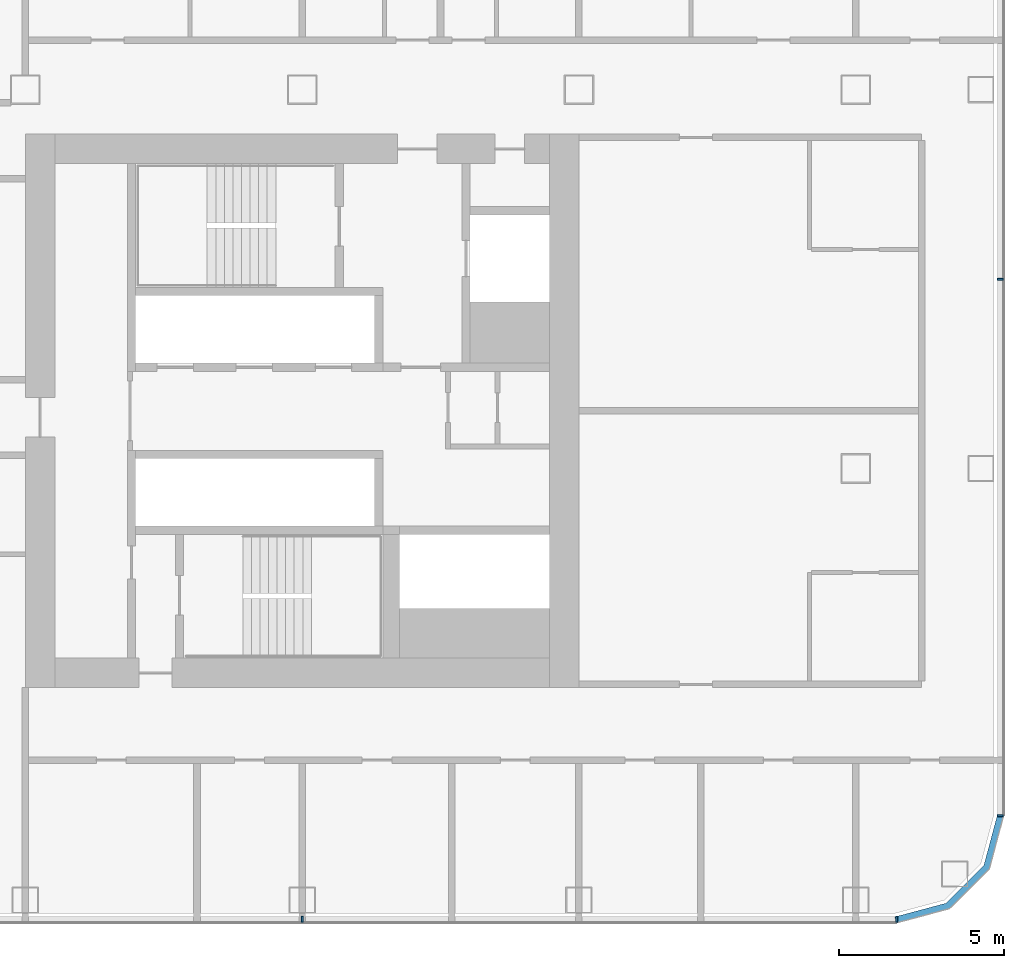
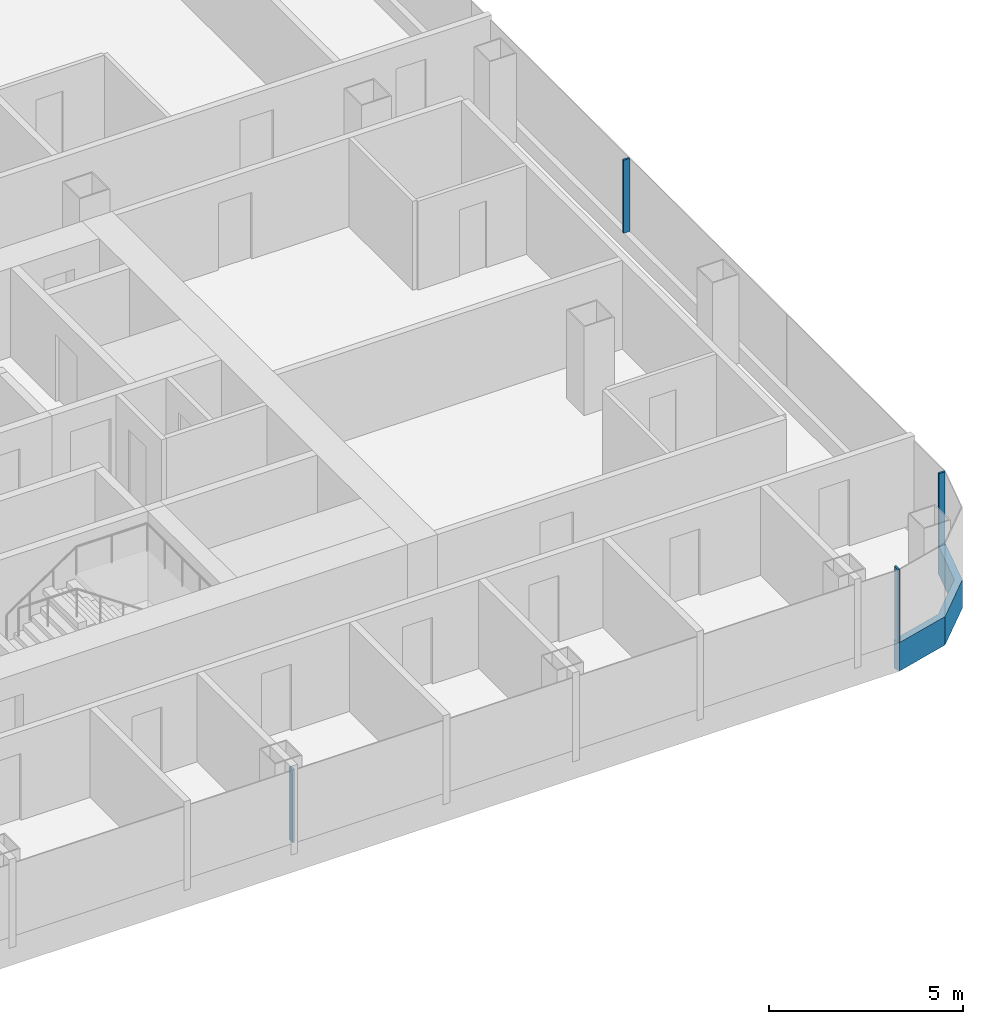
# One storey, part 11 of 29: 5 members, 3 elements without a shape of their own.
"""IFC4 building model written with IfcOpenShell, lengths in metres."""

from ifc_helpers import new_model, si_unit, direction, frame, origin, origin_2d, place, context, subcontext, project, spatial, polyline, rectangle, outline, extrude, material, layer, layer_set, material_profile, profile_set, type_object, element, aggregate, save


model = new_model("IFC4")

# Units and contexts
model_context = context("Model", 3, precision=1e-05, world=origin(), true_north=direction((0.0, 1.0)))
body_context = subcontext(model_context, "Body", "Model", "MODEL_VIEW")
ifc_project = project(units=[si_unit("LENGTHUNIT", "METRE"), si_unit("AREAUNIT", "SQUARE_METRE"), si_unit("VOLUMEUNIT", "CUBIC_METRE"), si_unit("PLANEANGLEUNIT", "RADIAN"), si_unit("MASSUNIT", "GRAM", prefix="KILO")], contexts=[model_context])

# Site, building, storey
site_placement = place(None, origin())
site = spatial("IfcSite", under=ifc_project, at=site_placement, CompositionType="ELEMENT")
building_placement = place(site_placement, origin())
building = spatial("IfcBuilding", under=site, at=building_placement, Name="Hakoniwa Tower and Hamabe Station Hall", CompositionType="ELEMENT")
storey_placement = place(building_placement, frame((0.0, 0.0, 97.800048828125)))
storey = spatial("IfcBuildingStorey", under=building, at=storey_placement, Name="L27", CompositionType="ELEMENT", Elevation=97.800048828125)

# Curtain wall, member
ifc_material_1 = material(Name="Dark low-e laminated glass", Category="glass")
ifc_layer = layer(ifc_material_1, 0.199951171875)
ifc_layer_set = layer_set([ifc_layer], Name="CW-1 UNITISED GUEST")
curtain_wall_type = type_object("IfcCurtainWallType", Name="CW-1 UNITISED GUEST", PredefinedType="NOTDEFINED", material=ifc_layer_set)
curtain_wall_1_placement = place(storey_placement, origin())
curtain_wall_1 = element("IfcCurtainWall", 1, at=curtain_wall_1_placement, inside=storey, type_object=curtain_wall_type, Name="CW-1 curtain wall", PredefinedType="NOTDEFINED")
ifc_material_2 = material(Name="Aluminium 6063-T5 black anodised", Category="aluminium")
ifc_material_profile_1 = material_profile(ifc_material_2, rectangle(XDim=0.199951171875, YDim=0.89990234375, at=origin_2d()), Name="CW SLAB-EDGE BAND 900X200")
ifc_profile_set_1 = profile_set([ifc_material_profile_1], Name="Aluminium 6063-T5 black anodised")
member_type_1 = type_object("IfcMemberType", Name="CW SLAB-EDGE BAND 900X200", PredefinedType="USERDEFINED", material=ifc_profile_set_1)
member_1_placement = place(storey_placement, frame((0.0, 0.0, -0.550048828125)))
member_1 = element("IfcMember", 2, at=member_1_placement, type_object=member_type_1, Name="CW-1 transom", ObjectType="TRANSOM", PredefinedType="USERDEFINED", context=body_context, shape_type="SweptSolid", body=[
    extrude(outline(polyline([(43.239501953125, -15.550048828125), (44.855224609375, -15.116943359375), (46.067138671875, -13.9052734375), (46.5, -12.28955078125), (46.306884765625, -12.23779296875), (45.8876953125, -13.8017578125), (44.751708984375, -14.937744140625), (43.187744140625, -15.35693359375), (43.239501953125, -15.550048828125)])), origin(), (0.0, 0.0, 1.0), 0.89990234375),
])
aggregate(curtain_wall_1, [member_1])

# Curtain wall, members
curtain_wall_2_placement = place(storey_placement, origin())
curtain_wall_2 = element("IfcCurtainWall", 3, at=curtain_wall_2_placement, inside=storey, type_object=curtain_wall_type, Name="CW-1 curtain wall", PredefinedType="NOTDEFINED")
ifc_material_3 = material(Name="Aluminium 6063-T5 black anodised", Category="aluminium")
ifc_material_profile_2 = material_profile(ifc_material_3, rectangle(XDim=0.06005859375, YDim=0.179931640625, at=origin_2d()), Name="CW-1 MULLION 60X180")
ifc_profile_set_2 = profile_set([ifc_material_profile_2], Name="Aluminium 6063-T5 black anodised")
member_type_2 = type_object("IfcMemberType", Name="CW-1 MULLION 60X180", PredefinedType="MULLION", material=ifc_profile_set_2)
member_2_placement = place(storey_placement, frame((46.382080078125, -12.28955078125, 0.349853515625), z_axis=(0.0, 0.0, 1.0), x_axis=(0.0, 1.0, 0.0)))
member_2 = element("IfcMember", 4, at=member_2_placement, type_object=member_type_2, Name="CW-1 mullion", PredefinedType="MULLION", context=body_context, shape_type="SweptSolid", body=[
    extrude(rectangle(XDim=0.06005859375, YDim=0.179931640625, at=origin_2d()), origin(), (0.0, 0.0, 1.0), 2.300048828125),
])
member_3_placement = place(storey_placement, frame((46.382080078125, 4.0, 0.349853515625), z_axis=(0.0, 0.0, 1.0), x_axis=(0.0, 1.0, 0.0)))
member_3 = element("IfcMember", 5, at=member_3_placement, type_object=member_type_2, Name="CW-1 mullion", PredefinedType="MULLION", context=body_context, shape_type="SweptSolid", body=[
    extrude(rectangle(XDim=0.06005859375, YDim=0.179931640625, at=origin_2d()), origin(), (0.0, 0.0, 1.0), 2.300048828125),
])
aggregate(curtain_wall_2, [member_2, member_3])

curtain_wall_3_placement = place(storey_placement, origin())
curtain_wall_3 = element("IfcCurtainWall", 6, at=curtain_wall_3_placement, inside=storey, type_object=curtain_wall_type, Name="CW-1 curtain wall", PredefinedType="NOTDEFINED")
member_4_placement = place(storey_placement, frame((25.199951171875, -15.431884765625, 0.349853515625), z_axis=(0.0, 0.0, 1.0), x_axis=(1.0, 0.0, 0.0)))
member_4 = element("IfcMember", 7, at=member_4_placement, type_object=member_type_2, Name="CW-1 mullion", PredefinedType="MULLION", context=body_context, shape_type="SweptSolid", body=[
    extrude(rectangle(XDim=0.06005859375, YDim=0.179931640625, at=origin_2d()), origin(), (0.0, 0.0, 1.0), 2.300048828125),
])
member_5_placement = place(storey_placement, frame((43.239501953125, -15.431884765625, 0.349853515625), z_axis=(0.0, 0.0, 1.0), x_axis=(1.0, 0.0, 0.0)))
member_5 = element("IfcMember", 8, at=member_5_placement, type_object=member_type_2, Name="CW-1 mullion", PredefinedType="MULLION", context=body_context, shape_type="SweptSolid", body=[
    extrude(rectangle(XDim=0.06005859375, YDim=0.179931640625, at=origin_2d()), origin(), (0.0, 0.0, 1.0), 2.300048828125),
])
aggregate(curtain_wall_3, [member_4, member_5])

save(model, "model.ifc")
